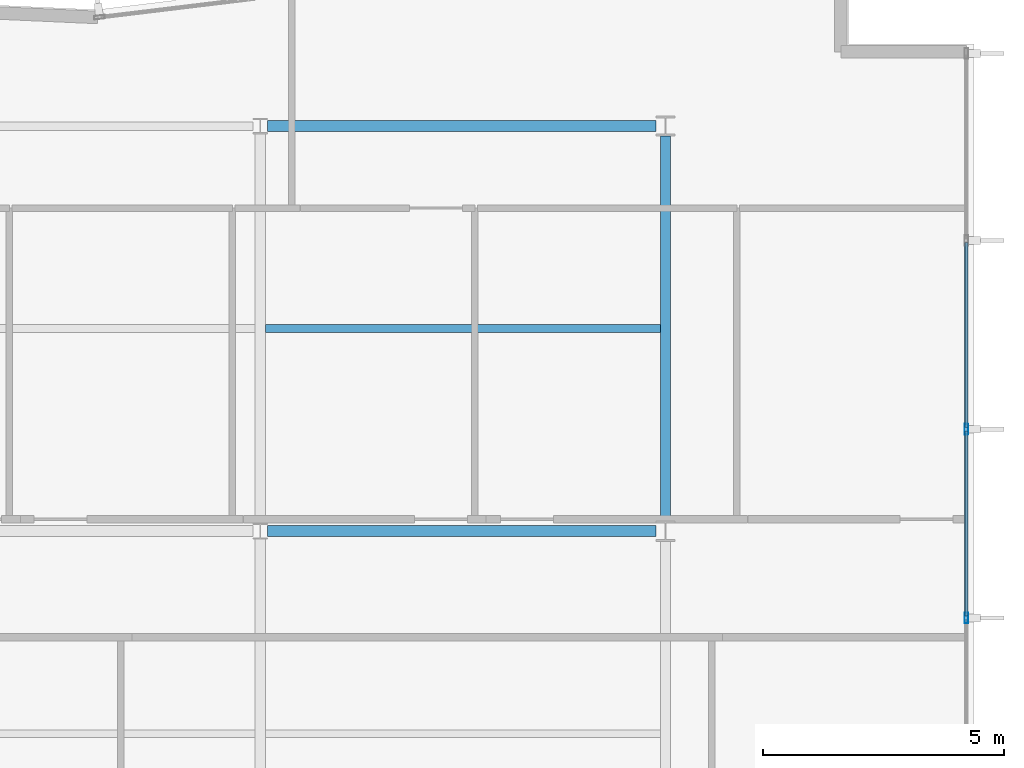
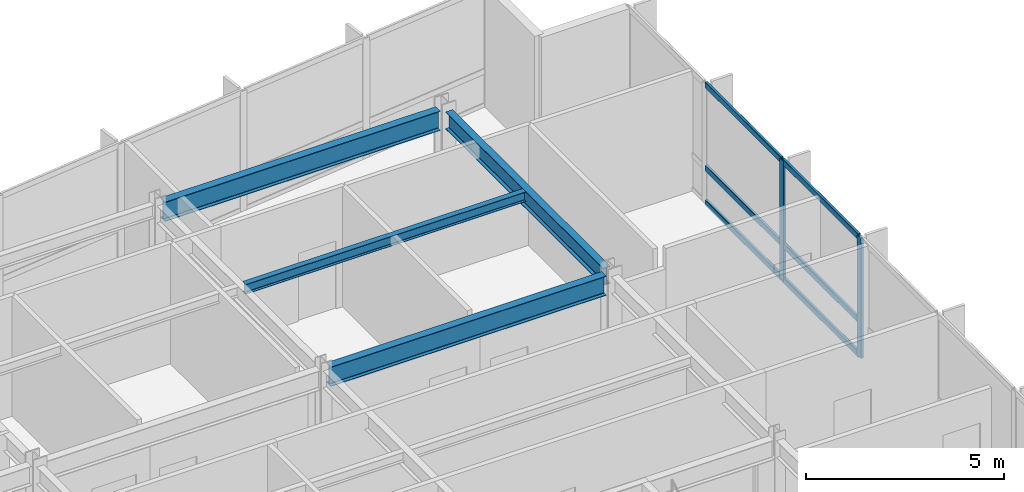
# One storey, part 7 of 18: 8 members, 4 beams, 1 element without a shape of its own.
"""IFC4 building model written with IfcOpenShell, lengths in metres."""

from ifc_helpers import new_model, si_unit, direction, frame, origin, origin_2d, place, context, subcontext, project, spatial, hollow_rectangle, i_section, extrude, material, layer, layer_set, material_profile, profile_set, type_object, element, aggregate, save


model = new_model("IFC4")

# Units and contexts
model_context = context("Model", 3, precision=1e-05, world=origin(), true_north=direction((0.0, 1.0)))
body_context = subcontext(model_context, "Body", "Model", "MODEL_VIEW")
ifc_project = project(units=[si_unit("LENGTHUNIT", "METRE"), si_unit("AREAUNIT", "SQUARE_METRE"), si_unit("VOLUMEUNIT", "CUBIC_METRE"), si_unit("PLANEANGLEUNIT", "RADIAN"), si_unit("MASSUNIT", "GRAM", prefix="KILO")], contexts=[model_context])

# Site, building, storey
site_placement = place(None, origin())
site = spatial("IfcSite", under=ifc_project, at=site_placement, CompositionType="ELEMENT")
building_placement = place(site_placement, origin())
building = spatial("IfcBuilding", under=site, at=building_placement, Name="Varnakote Quay Hospital", CompositionType="ELEMENT")
storey_placement = place(building_placement, frame((0.0, 0.0, 123.10009765625)))
storey = spatial("IfcBuildingStorey", under=building, at=storey_placement, Name="L30", CompositionType="ELEMENT", Elevation=123.10009765625)

# Beams
ifc_material_1 = material(Name="Structural steel AS/NZS 3679.1 Grade 350 L0 (fy 340 MPa)", Category="steel")
ifc_material_profile_1 = material_profile(ifc_material_1, i_section(OverallWidth=0.208984375, OverallDepth=0.532958984375, WebThickness=0.01025390625, FlangeThickness=0.015625, FilletRadius=0.013916015625, at=origin_2d()), Name="530UB92.4")
ifc_profile_set_1 = profile_set([ifc_material_profile_1], Name="Structural steel AS/NZS 3679.1 Grade 350 L0 (fy 340 MPa)")
beam_type_1 = type_object("IfcBeamType", Name="BM-STL-530UB92-4", PredefinedType="BEAM", material=ifc_profile_set_1)
beam_1_placement = place(storey_placement, frame((50.39990234375, 20.610107421875, 3.443359375), z_axis=(0.0, 1.0, 0.0), x_axis=(-1.0, 0.0, 0.0)))
element("IfcBeam", 1, at=beam_1_placement, inside=storey, type_object=beam_type_1, Name="L30 Primary Tie Beam", PredefinedType="BEAM", context=body_context, shape_type="SweptSolid", body=[
    extrude(i_section(OverallWidth=0.208984375, OverallDepth=0.532958984375, WebThickness=0.01025390625, FlangeThickness=0.015625, FilletRadius=0.013916015625, at=origin_2d()), origin(), (0.0, 0.0, 1.0), 7.97998046875),
])
ifc_material_2 = material(Name="Structural steel AS/NZS 3679.1 Grade 350 L0 (fy 340 MPa)", Category="steel")
ifc_material_profile_2 = material_profile(ifc_material_2, i_section(OverallWidth=0.22802734375, OverallDepth=0.60205078125, WebThickness=0.010498046875, FlangeThickness=0.014892578125, FilletRadius=0.013916015625, at=origin_2d()), Name="610UB101")
ifc_profile_set_2 = profile_set([ifc_material_profile_2], Name="Structural steel AS/NZS 3679.1 Grade 350 L0 (fy 340 MPa)")
beam_type_2 = type_object("IfcBeamType", Name="BM-STL-610UB101", PredefinedType="BEAM", material=ifc_profile_set_2)
for number, where, z_axis, x_axis, name in (
    (2, (42.154541015625, 20.39990234375, 3.408935546875), (1.0, 0.0, 0.0), (0.0, 1.0, 0.0), "L30 Primary Floor Beam"),
    (3, (42.154541015625, 28.800048828125, 3.408935546875), (1.0, 0.0, 0.0), (0.0, 1.0, 0.0), "L30 Primary Floor Beam"),
):
    element("IfcBeam", number, at=place(storey_placement, frame(where, z_axis=z_axis, x_axis=x_axis)), inside=storey, type_object=beam_type_2, Name=name, PredefinedType="BEAM", context=body_context, shape_type="SweptSolid", body=[
        extrude(i_section(OverallWidth=0.22802734375, OverallDepth=0.60205078125, WebThickness=0.010498046875, FlangeThickness=0.014892578125, FilletRadius=0.013916015625, at=origin_2d()), origin(), (0.0, 0.0, 1.0), 8.04541015625),
    ])

# Curtain wall, members
ifc_material_3 = material(Name="Anodised aluminium 6063-T6 Bronze", Category="aluminium")
ifc_layer = layer(ifc_material_3, 0.205078125)
ifc_layer_set = layer_set([ifc_layer], Name="Anodised aluminium 6063-T6 Bronze")
curtain_wall_type = type_object("IfcCurtainWallType", Name="CW-SYS-3", PredefinedType="NOTDEFINED", material=ifc_layer_set)
curtain_wall_placement = place(storey_placement, origin())
curtain_wall = element("IfcCurtainWall", 4, at=curtain_wall_placement, inside=storey, type_object=curtain_wall_type, Name="L30 Unitised Bronze Curtain Wall 1", PredefinedType="NOTDEFINED")
ifc_material_4 = material(Name="Anodised aluminium 6063-T6 Bronze", Category="aluminium")
ifc_material_profile_3 = material_profile(ifc_material_4, hollow_rectangle(XDim=0.074951171875, YDim=0.219970703125, WallThickness=0.00439453125, InnerFilletRadius=0.00439453125, OuterFilletRadius=0.009033203125, at=origin_2d()), Name="CW-MULL-220x75")
ifc_profile_set_3 = profile_set([ifc_material_profile_3], Name="Anodised aluminium 6063-T6 Bronze")
member_type_1 = type_object("IfcMemberType", Name="CW-MULL-220x75", PredefinedType="MULLION", material=ifc_profile_set_3)
member_1_placement = place(storey_placement, frame((56.639892578125, 18.60009765625, 0.0), z_axis=(0.0, 0.0, 1.0), x_axis=(-1.0, 0.0, 0.0)))
member_1 = element("IfcMember", 5, at=member_1_placement, type_object=member_type_1, Name="-3-L30-1 mullion 4", PredefinedType="MULLION", context=body_context, shape_type="SweptSolid", body=[
    extrude(hollow_rectangle(XDim=0.074951171875, YDim=0.219970703125, WallThickness=0.00439453125, InnerFilletRadius=0.00439453125, OuterFilletRadius=0.009033203125, at=origin_2d()), origin(), (0.0, 0.0, 1.0), 3.7099609375),
])
member_2_placement = place(storey_placement, frame((56.639892578125, 22.513427734375, 0.0), z_axis=(0.0, 0.0, 1.0), x_axis=(-1.0, 0.0, 0.0)))
member_2 = element("IfcMember", 6, at=member_2_placement, type_object=member_type_1, Name="-3-L30-1 mullion 5", PredefinedType="MULLION", context=body_context, shape_type="SweptSolid", body=[
    extrude(hollow_rectangle(XDim=0.074951171875, YDim=0.219970703125, WallThickness=0.00439453125, InnerFilletRadius=0.00439453125, OuterFilletRadius=0.009033203125, at=origin_2d()), origin(), (0.0, 0.0, 1.0), 3.7099609375),
])
ifc_material_5 = material(Name="Anodised aluminium 6063-T6 Bronze", Category="aluminium")
ifc_material_profile_4 = material_profile(ifc_material_5, hollow_rectangle(XDim=0.074951171875, YDim=0.179931640625, WallThickness=0.004150390625, InnerFilletRadius=0.004150390625, OuterFilletRadius=0.00830078125, at=origin_2d()), Name="CW-TRAN-180x75")
ifc_profile_set_4 = profile_set([ifc_material_profile_4], Name="Anodised aluminium 6063-T6 Bronze")
member_type_2 = type_object("IfcMemberType", Name="CW-TRAN-180x75", PredefinedType="USERDEFINED", material=ifc_profile_set_4)
member_3_placement = place(storey_placement, frame((56.639892578125, 18.637451171875, 0.037353515625), z_axis=(0.0, 1.0, 0.0), x_axis=(-1.0, 0.0, 0.0)))
member_3 = element("IfcMember", 7, at=member_3_placement, type_object=member_type_2, Name="-3-L30-1 transom 4.1", ObjectType="TRANSOM", PredefinedType="USERDEFINED", context=body_context, shape_type="SweptSolid", body=[
    extrude(hollow_rectangle(XDim=0.074951171875, YDim=0.179931640625, WallThickness=0.004150390625, InnerFilletRadius=0.004150390625, OuterFilletRadius=0.00830078125, at=origin_2d()), origin(), (0.0, 0.0, 1.0), 3.83837890625),
])
member_4_placement = place(storey_placement, frame((56.639892578125, 18.637451171875, 1.099853515625), z_axis=(0.0, 1.0, 0.0), x_axis=(-1.0, 0.0, 0.0)))
member_4 = element("IfcMember", 8, at=member_4_placement, type_object=member_type_2, Name="-3-L30-1 transom 4.2", ObjectType="TRANSOM", PredefinedType="USERDEFINED", context=body_context, shape_type="SweptSolid", body=[
    extrude(hollow_rectangle(XDim=0.074951171875, YDim=0.179931640625, WallThickness=0.004150390625, InnerFilletRadius=0.004150390625, OuterFilletRadius=0.00830078125, at=origin_2d()), origin(), (0.0, 0.0, 1.0), 3.83837890625),
])
member_5_placement = place(storey_placement, frame((56.639892578125, 18.637451171875, 3.67236328125), z_axis=(0.0, 1.0, 0.0), x_axis=(-1.0, 0.0, 0.0)))
member_5 = element("IfcMember", 9, at=member_5_placement, type_object=member_type_2, Name="-3-L30-1 transom 4.3", ObjectType="TRANSOM", PredefinedType="USERDEFINED", context=body_context, shape_type="SweptSolid", body=[
    extrude(hollow_rectangle(XDim=0.074951171875, YDim=0.179931640625, WallThickness=0.004150390625, InnerFilletRadius=0.004150390625, OuterFilletRadius=0.00830078125, at=origin_2d()), origin(), (0.0, 0.0, 1.0), 3.83837890625),
])
member_6_placement = place(storey_placement, frame((56.639892578125, 22.55078125, 0.037353515625), z_axis=(0.0, 1.0, 0.0), x_axis=(-1.0, 0.0, 0.0)))
member_6 = element("IfcMember", 10, at=member_6_placement, type_object=member_type_2, Name="-3-L30-1 transom 5.1", ObjectType="TRANSOM", PredefinedType="USERDEFINED", context=body_context, shape_type="SweptSolid", body=[
    extrude(hollow_rectangle(XDim=0.074951171875, YDim=0.179931640625, WallThickness=0.004150390625, InnerFilletRadius=0.004150390625, OuterFilletRadius=0.00830078125, at=origin_2d()), origin(), (0.0, 0.0, 1.0), 3.83837890625),
])
member_7_placement = place(storey_placement, frame((56.639892578125, 22.55078125, 1.099853515625), z_axis=(0.0, 1.0, 0.0), x_axis=(-1.0, 0.0, 0.0)))
member_7 = element("IfcMember", 11, at=member_7_placement, type_object=member_type_2, Name="-3-L30-1 transom 5.2", ObjectType="TRANSOM", PredefinedType="USERDEFINED", context=body_context, shape_type="SweptSolid", body=[
    extrude(hollow_rectangle(XDim=0.074951171875, YDim=0.179931640625, WallThickness=0.004150390625, InnerFilletRadius=0.004150390625, OuterFilletRadius=0.00830078125, at=origin_2d()), origin(), (0.0, 0.0, 1.0), 3.83837890625),
])
member_8_placement = place(storey_placement, frame((56.639892578125, 22.55078125, 3.67236328125), z_axis=(0.0, 1.0, 0.0), x_axis=(-1.0, 0.0, 0.0)))
member_8 = element("IfcMember", 12, at=member_8_placement, type_object=member_type_2, Name="-3-L30-1 transom 5.3", ObjectType="TRANSOM", PredefinedType="USERDEFINED", context=body_context, shape_type="SweptSolid", body=[
    extrude(hollow_rectangle(XDim=0.074951171875, YDim=0.179931640625, WallThickness=0.004150390625, InnerFilletRadius=0.004150390625, OuterFilletRadius=0.00830078125, at=origin_2d()), origin(), (0.0, 0.0, 1.0), 3.83837890625),
])
aggregate(curtain_wall, [member_1, member_2, member_3, member_4, member_5, member_6, member_7, member_8])

# Beam
ifc_material_6 = material(Name="Structural steel AS/NZS 3679.1 Grade 350 L0 (fy 340 MPa)", Category="steel")
ifc_material_profile_5 = material_profile(ifc_material_6, i_section(OverallWidth=0.1650390625, OverallDepth=0.303955078125, WebThickness=0.006103515625, FlangeThickness=0.01025390625, FilletRadius=0.011474609375, at=origin_2d()), Name="310UB40.4")
ifc_profile_set_5 = profile_set([ifc_material_profile_5], Name="Structural steel AS/NZS 3679.1 Grade 350 L0 (fy 340 MPa)")
beam_type_3 = type_object("IfcBeamType", Name="JST-STL-310UB40-4", PredefinedType="JOIST", material=ifc_profile_set_5)
beam_2_placement = place(storey_placement, frame((42.1044921875, 24.60009765625, 3.557861328125), z_axis=(1.0, 0.0, 0.0), x_axis=(0.0, 1.0, 0.0)))
element("IfcBeam", 13, at=beam_2_placement, inside=storey, type_object=beam_type_3, Name="L30 Composite Floor Joist", PredefinedType="JOIST", context=body_context, shape_type="SweptSolid", body=[
    extrude(i_section(OverallWidth=0.1650390625, OverallDepth=0.303955078125, WebThickness=0.006103515625, FlangeThickness=0.01025390625, FilletRadius=0.011474609375, at=origin_2d()), origin(), (0.0, 0.0, 1.0), 8.19091796875),
])

save(model, "model.ifc")
